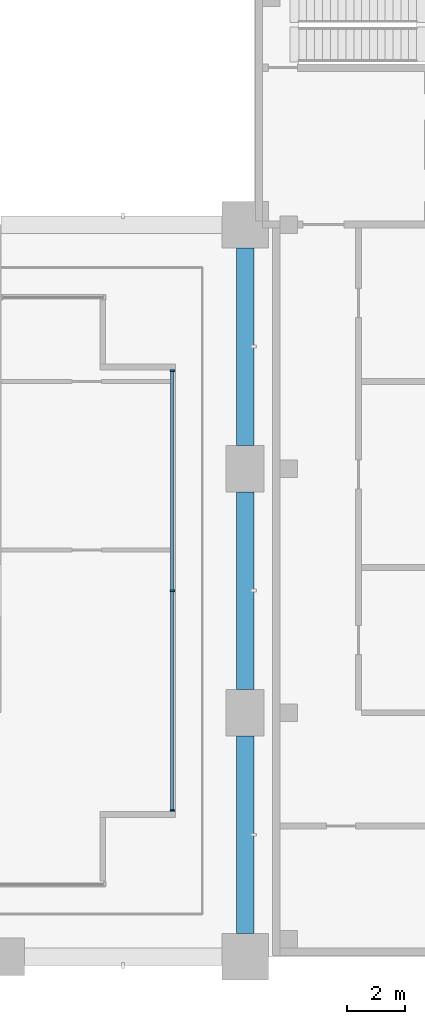
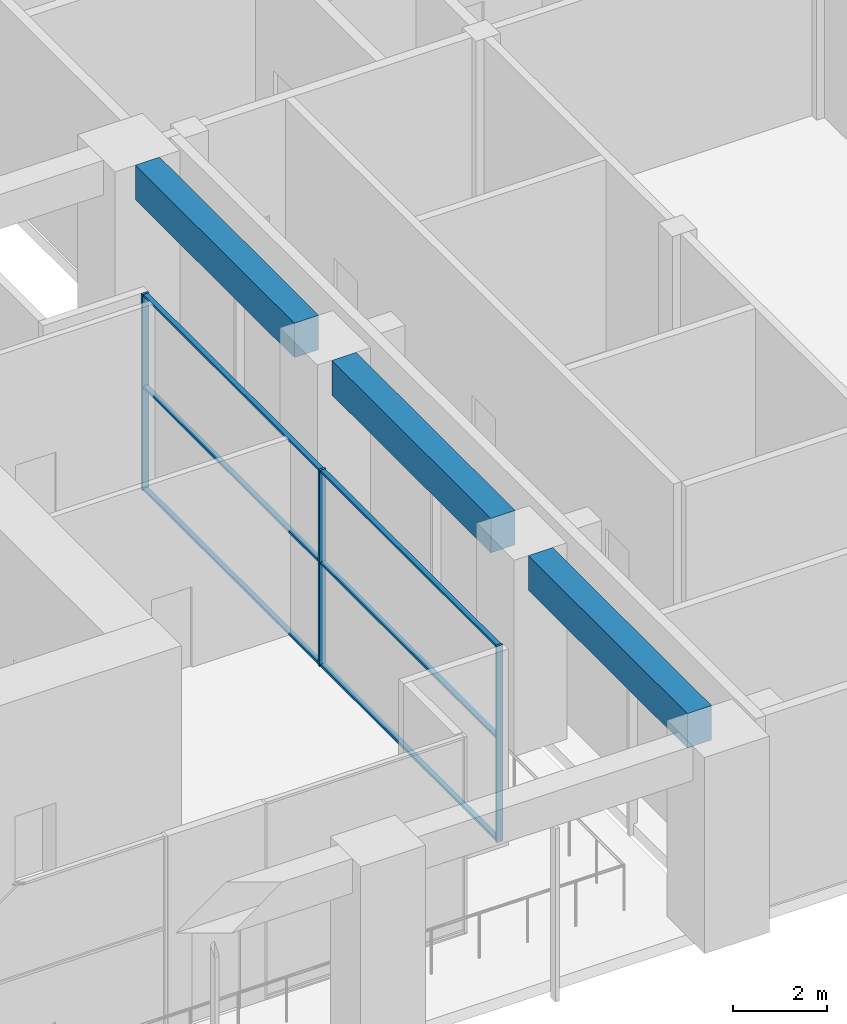
# One storey, part 11 of 32: 9 members, 3 beams, 1 element without a shape of its own.
"""IFC4 building model written with IfcOpenShell, lengths in metres."""

from ifc_helpers import new_model, si_unit, direction, frame, origin, origin_2d, place, context, subcontext, project, spatial, rectangle, extrude, material, material_profile, profile_set, type_object, element, aggregate, save


model = new_model("IFC4")

# Units and contexts
model_context = context("Model", 3, precision=1e-05, world=origin(), true_north=direction((0.0, 1.0)))
body_context = subcontext(model_context, "Body", "Model", "MODEL_VIEW")
ifc_project = project(units=[si_unit("LENGTHUNIT", "METRE"), si_unit("AREAUNIT", "SQUARE_METRE"), si_unit("VOLUMEUNIT", "CUBIC_METRE"), si_unit("PLANEANGLEUNIT", "RADIAN"), si_unit("MASSUNIT", "GRAM", prefix="KILO")], contexts=[model_context])

# Site, building, storey
site_placement = place(None, origin())
site = spatial("IfcSite", under=ifc_project, at=site_placement, CompositionType="ELEMENT")
building_placement = place(site_placement, origin())
building = spatial("IfcBuilding", under=site, at=building_placement, Name="Vermilion Gate Residences", CompositionType="ELEMENT")
storey_placement = place(building_placement, frame((0.0, 0.0, 19.800048828125)))
storey = spatial("IfcBuildingStorey", under=building, at=storey_placement, Name="L03", CompositionType="ELEMENT", Elevation=19.800048828125)

# Curtain wall, members
ifc_material_1 = material(Name="Aluminium and glass", Category="aluminium")
curtain_wall_type = type_object("IfcCurtainWallType", Name="AMENITY GLAZING CURTAIN WALL", PredefinedType="NOTDEFINED", material=ifc_material_1)
curtain_wall_placement = place(storey_placement, origin())
curtain_wall = element("IfcCurtainWall", 1, at=curtain_wall_placement, inside=storey, type_object=curtain_wall_type, Name="Amenity Glazing 90", PredefinedType="NOTDEFINED")
ifc_material_2 = material(Name="Aluminium", Category="aluminium")
ifc_material_profile_1 = material_profile(ifc_material_2, rectangle(XDim=0.159912109375, YDim=0.06005859375, at=origin_2d()), Name="MULLION 60 X 160")
ifc_profile_set_1 = profile_set([ifc_material_profile_1], Name="Aluminium")
member_type_1 = type_object("IfcMemberType", Name="AMENITY GLAZING MULLION 60 X 160", PredefinedType="MULLION", material=ifc_profile_set_1)
member_1_placement = place(storey_placement, frame((64.699951171875, 5.030029296875, 0.0), z_axis=(0.0, 0.0, 1.0), x_axis=(-1.0, 0.0, 0.0)))
member_1 = element("IfcMember", 2, at=member_1_placement, type_object=member_type_1, Name="ECW2 mullion 1", PredefinedType="MULLION", context=body_context, shape_type="SweptSolid", body=[
    extrude(rectangle(XDim=0.159912109375, YDim=0.06005859375, at=origin_2d()), origin(), (0.0, 0.0, 1.0), 5.119873046875),
])
member_2_placement = place(storey_placement, frame((64.699951171875, 12.60009765625, 0.0), z_axis=(0.0, 0.0, 1.0), x_axis=(-1.0, 0.0, 0.0)))
member_2 = element("IfcMember", 3, at=member_2_placement, type_object=member_type_1, Name="ECW2 mullion 2", PredefinedType="MULLION", context=body_context, shape_type="SweptSolid", body=[
    extrude(rectangle(XDim=0.159912109375, YDim=0.06005859375, at=origin_2d()), origin(), (0.0, 0.0, 1.0), 5.119873046875),
])
member_3_placement = place(storey_placement, frame((64.699951171875, 20.169921875, 0.0), z_axis=(0.0, 0.0, 1.0), x_axis=(-1.0, 0.0, 0.0)))
member_3 = element("IfcMember", 4, at=member_3_placement, type_object=member_type_1, Name="ECW2 mullion 3", PredefinedType="MULLION", context=body_context, shape_type="SweptSolid", body=[
    extrude(rectangle(XDim=0.159912109375, YDim=0.06005859375, at=origin_2d()), origin(), (0.0, 0.0, 1.0), 5.119873046875),
])
ifc_material_3 = material(Name="Aluminium", Category="aluminium")
ifc_material_profile_2 = material_profile(ifc_material_3, rectangle(XDim=0.1201171875, YDim=0.06005859375, at=origin_2d()), Name="TRANSOM 60 X 120")
ifc_profile_set_2 = profile_set([ifc_material_profile_2], Name="Aluminium")
member_type_2 = type_object("IfcMemberType", Name="AMENITY GLAZING TRANSOM 60 X 120", PredefinedType="MULLION", material=ifc_profile_set_2)
member_4_placement = place(storey_placement, frame((64.699951171875, 5.06005859375, 0.030029296875), z_axis=(0.0, 1.0, 0.0), x_axis=(-1.0, 0.0, 0.0)))
member_4 = element("IfcMember", 5, at=member_4_placement, type_object=member_type_2, Name="ECW2 transom 1.1", PredefinedType="MULLION", context=body_context, shape_type="SweptSolid", body=[
    extrude(rectangle(XDim=0.1201171875, YDim=0.06005859375, at=origin_2d()), origin(), (0.0, 0.0, 1.0), 7.510009765625),
])
member_5_placement = place(storey_placement, frame((64.699951171875, 5.06005859375, 2.699951171875), z_axis=(0.0, 1.0, 0.0), x_axis=(-1.0, 0.0, 0.0)))
member_5 = element("IfcMember", 6, at=member_5_placement, type_object=member_type_2, Name="ECW2 transom 1.2", PredefinedType="MULLION", context=body_context, shape_type="SweptSolid", body=[
    extrude(rectangle(XDim=0.1201171875, YDim=0.06005859375, at=origin_2d()), origin(), (0.0, 0.0, 1.0), 7.510009765625),
])
member_6_placement = place(storey_placement, frame((64.699951171875, 5.06005859375, 5.08984375), z_axis=(0.0, 1.0, 0.0), x_axis=(-1.0, 0.0, 0.0)))
member_6 = element("IfcMember", 7, at=member_6_placement, type_object=member_type_2, Name="ECW2 transom 1.3", PredefinedType="MULLION", context=body_context, shape_type="SweptSolid", body=[
    extrude(rectangle(XDim=0.1201171875, YDim=0.06005859375, at=origin_2d()), origin(), (0.0, 0.0, 1.0), 7.510009765625),
])
member_7_placement = place(storey_placement, frame((64.699951171875, 12.6298828125, 0.030029296875), z_axis=(0.0, 1.0, 0.0), x_axis=(-1.0, 0.0, 0.0)))
member_7 = element("IfcMember", 8, at=member_7_placement, type_object=member_type_2, Name="ECW2 transom 2.1", PredefinedType="MULLION", context=body_context, shape_type="SweptSolid", body=[
    extrude(rectangle(XDim=0.1201171875, YDim=0.06005859375, at=origin_2d()), origin(), (0.0, 0.0, 1.0), 7.510009765625),
])
member_8_placement = place(storey_placement, frame((64.699951171875, 12.6298828125, 2.699951171875), z_axis=(0.0, 1.0, 0.0), x_axis=(-1.0, 0.0, 0.0)))
member_8 = element("IfcMember", 9, at=member_8_placement, type_object=member_type_2, Name="ECW2 transom 2.2", PredefinedType="MULLION", context=body_context, shape_type="SweptSolid", body=[
    extrude(rectangle(XDim=0.1201171875, YDim=0.06005859375, at=origin_2d()), origin(), (0.0, 0.0, 1.0), 7.510009765625),
])
member_9_placement = place(storey_placement, frame((64.699951171875, 12.6298828125, 5.08984375), z_axis=(0.0, 1.0, 0.0), x_axis=(-1.0, 0.0, 0.0)))
member_9 = element("IfcMember", 10, at=member_9_placement, type_object=member_type_2, Name="ECW2 transom 2.3", PredefinedType="MULLION", context=body_context, shape_type="SweptSolid", body=[
    extrude(rectangle(XDim=0.1201171875, YDim=0.06005859375, at=origin_2d()), origin(), (0.0, 0.0, 1.0), 7.510009765625),
])
aggregate(curtain_wall, [member_1, member_2, member_3, member_4, member_5, member_6, member_7, member_8, member_9])

# Beams
ifc_material_4 = material(Name="Concrete C60 red-oxide pigmented", Category="concrete")
ifc_material_profile_3 = material_profile(ifc_material_4, rectangle(XDim=0.60009765625, YDim=0.89990234375, at=origin_2d()), Name="RC-600x900")
ifc_profile_set_3 = profile_set([ifc_material_profile_3], Name="Concrete C60 red-oxide pigmented")
beam_type = type_object("IfcBeamType", Name="RC EDGE BEAM 600 X 900 C60", PredefinedType="BEAM", material=ifc_profile_set_3)
for number, where, z_axis, x_axis, name in (
    (11, (67.199951171875, 0.800048828125, 4.669921875), (0.0, 1.0, 0.0), (-1.0, 0.0, 0.0), "Edge beam L03 21"),
    (12, (67.199951171875, 9.199951171875, 4.669921875), (0.0, 1.0, 0.0), (-1.0, 0.0, 0.0), "Edge beam L03 22"),
):
    element("IfcBeam", number, at=place(storey_placement, frame(where, z_axis=z_axis, x_axis=x_axis)), inside=storey, type_object=beam_type, Name=name, PredefinedType="BEAM", context=body_context, shape_type="SweptSolid", body=[
        extrude(rectangle(XDim=0.60009765625, YDim=0.89990234375, at=origin_2d()), origin(), (0.0, 0.0, 1.0), 6.800048828125),
    ])
beam_placement = place(storey_placement, frame((67.199951171875, 17.60009765625, 4.669921875), z_axis=(0.0, 1.0, 0.0), x_axis=(-1.0, 0.0, 0.0)))
element("IfcBeam", 13, at=beam_placement, inside=storey, type_object=beam_type, Name="Edge beam L03 23", PredefinedType="BEAM", context=body_context, shape_type="SweptSolid", body=[
    extrude(rectangle(XDim=0.60009765625, YDim=0.89990234375, at=origin_2d()), origin(), (0.0, 0.0, 1.0), 6.7998046875),
])

save(model, "model.ifc")
